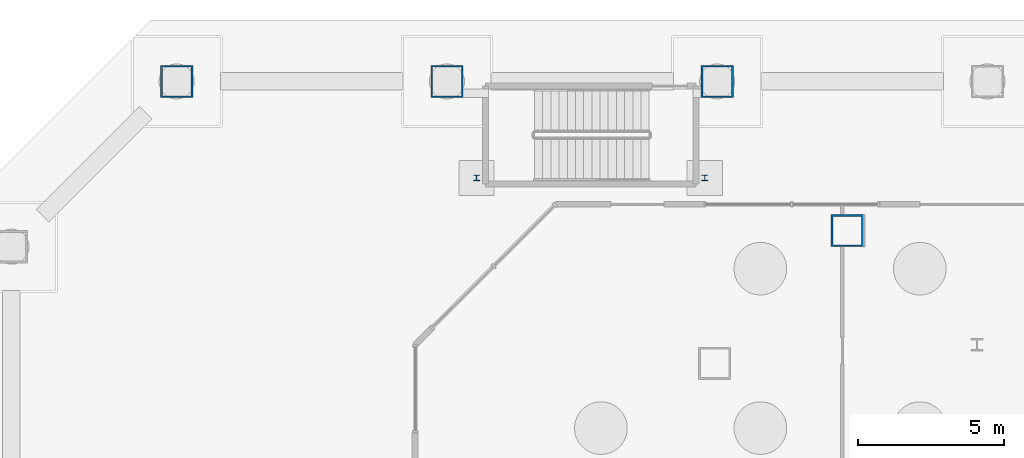
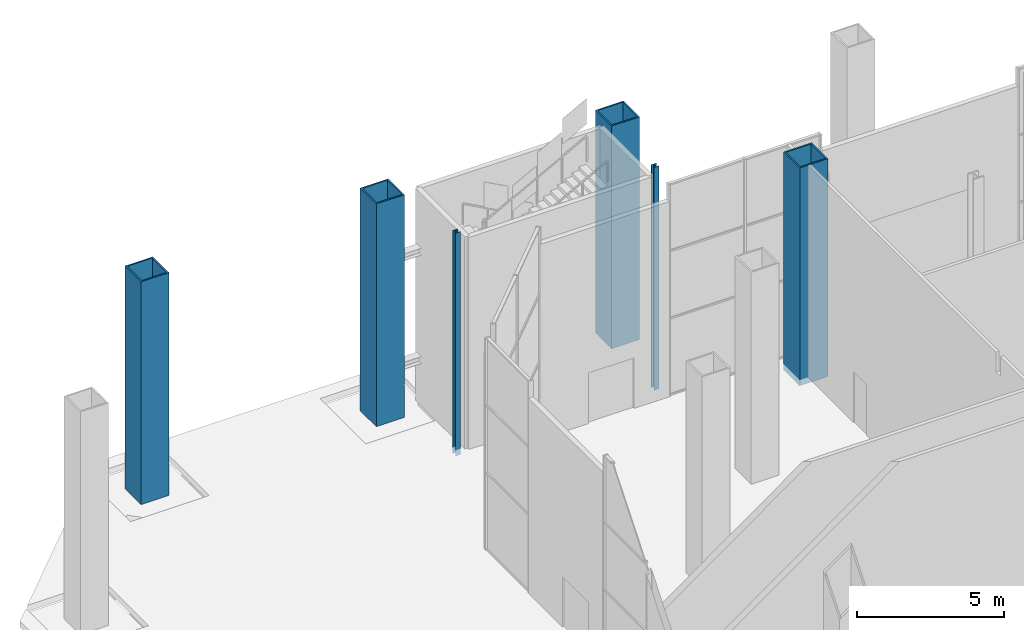
# One storey, part 5 of 38: 6 columns.
"""IFC4 building model written with IfcOpenShell, lengths in metres."""

from ifc_helpers import new_model, si_unit, direction, frame, origin, origin_2d, place, context, subcontext, project, spatial, hollow_rectangle, i_section, extrude, material, material_profile, profile_set, type_object, element, save


model = new_model("IFC4")

# Units and contexts
model_context = context("Model", 3, precision=1e-05, world=origin(), true_north=direction((0.0, 1.0)))
body_context = subcontext(model_context, "Body", "Model", "MODEL_VIEW")
ifc_project = project(units=[si_unit("LENGTHUNIT", "METRE"), si_unit("AREAUNIT", "SQUARE_METRE"), si_unit("VOLUMEUNIT", "CUBIC_METRE"), si_unit("PLANEANGLEUNIT", "RADIAN"), si_unit("MASSUNIT", "GRAM", prefix="KILO")], contexts=[model_context])

# Site, building, storey
site_placement = place(None, origin())
site = spatial("IfcSite", under=ifc_project, at=site_placement, CompositionType="ELEMENT")
building_placement = place(site_placement, origin())
building = spatial("IfcBuilding", under=site, at=building_placement, Name="Cairn Pilgrim Tower", CompositionType="ELEMENT")
storey_placement = place(building_placement, origin())
storey = spatial("IfcBuildingStorey", under=building, at=storey_placement, Name="L00", CompositionType="ELEMENT", Elevation=0.0)

# Columns
ifc_material_1 = material(Name="Structural steel S460M", Category="steel")
ifc_material_profile_1 = material_profile(ifc_material_1, hollow_rectangle(XDim=1.10009765625, YDim=1.10009765625, WallThickness=0.06005859375, at=origin_2d()), Name="BOX 1100x1100x60")
ifc_profile_set_1 = profile_set([ifc_material_profile_1], Name="Structural steel S460M")
column_type_1 = type_object("IfcColumnType", Name="BOX 1100x1100x60", PredefinedType="COLUMN", material=ifc_profile_set_1)
column_placement = place(storey_placement, frame((-18.8271484375, 23.10009765625, -0.25), z_axis=(0.0, 0.0, 1.0), x_axis=(1.0, 0.0, 0.0)))
element("IfcColumn", 1, at=column_placement, inside=storey, type_object=column_type_1, Name="PC1-NW1", PredefinedType="COLUMN", context=body_context, shape_type="SweptSolid", body=[
    extrude(hollow_rectangle(XDim=1.10009765625, YDim=1.10009765625, WallThickness=0.06005859375, at=origin_2d()), origin(), (0.0, 0.0, 1.0), 9.050048828125),
])
ifc_material_profile_2 = material_profile(ifc_material_1, hollow_rectangle(XDim=1.10009765625, YDim=1.10009765625, WallThickness=0.06005859375, at=origin_2d()), Name="BOX 1100x1100x60")
ifc_profile_set_2 = profile_set([ifc_material_profile_2], Name="Structural steel S460M")
column_type_2 = type_object("IfcColumnType", Name="PILOTIS CFT 1100", PredefinedType="COLUMN", material=ifc_profile_set_2)
for number, where, z_axis, x_axis, name in (
    (2, (-23.275634765625, 28.199951171875, -0.25), (0.0, 0.0, 1.0), (1.0, 0.0, 0.0), "PILOTIS PL-N7"),
    (3, (-32.513671875, 28.199951171875, -0.25), (0.0, 0.0, 1.0), (1.0, 0.0, 0.0), "PILOTIS PL-N8"),
    (4, (-41.75146484375, 28.199951171875, -0.25), (0.0, 0.0, 1.0), (1.0, 0.0, 0.0), "PILOTIS PL-NW1"),
):
    element("IfcColumn", number, at=place(storey_placement, frame(where, z_axis=z_axis, x_axis=x_axis)), inside=storey, type_object=column_type_2, Name=name, PredefinedType="COLUMN", context=body_context, shape_type="SweptSolid", body=[
        extrude(hollow_rectangle(XDim=1.10009765625, YDim=1.10009765625, WallThickness=0.06005859375, at=origin_2d()), origin(), (0.0, 0.0, 1.0), 9.25),
    ])
ifc_material_2 = material(Name="Structural steel S355J2", Category="steel")
ifc_material_profile_3 = material_profile(ifc_material_2, i_section(OverallWidth=0.199951171875, OverallDepth=0.199951171875, WebThickness=0.009033203125, FlangeThickness=0.014892578125, FilletRadius=0.01806640625, at=origin_2d()), Name="HE 200 B")
ifc_profile_set_3 = profile_set([ifc_material_profile_3], Name="Structural steel S355J2")
column_type_3 = type_object("IfcColumnType", Name="STAIR POST HE 200 B", PredefinedType="COLUMN", material=ifc_profile_set_3)
for number, where, z_axis, x_axis, name in (
    (5, (-31.5, 24.89990234375, -0.25), (0.0, 0.0, 1.0), (1.0, 0.0, 0.0), "STAIR POST LP-HN-W"),
    (6, (-23.699951171875, 24.89990234375, -0.25), (0.0, 0.0, 1.0), (1.0, 0.0, 0.0), "STAIR POST LP-HN-E"),
):
    element("IfcColumn", number, at=place(storey_placement, frame(where, z_axis=z_axis, x_axis=x_axis)), inside=storey, type_object=column_type_3, Name=name, PredefinedType="COLUMN", context=body_context, shape_type="SweptSolid", body=[
        extrude(i_section(OverallWidth=0.199951171875, OverallDepth=0.199951171875, WebThickness=0.009033203125, FlangeThickness=0.014892578125, FilletRadius=0.01806640625, at=origin_2d()), origin(), (0.0, 0.0, 1.0), 9.25),
    ])

save(model, "model.ifc")
